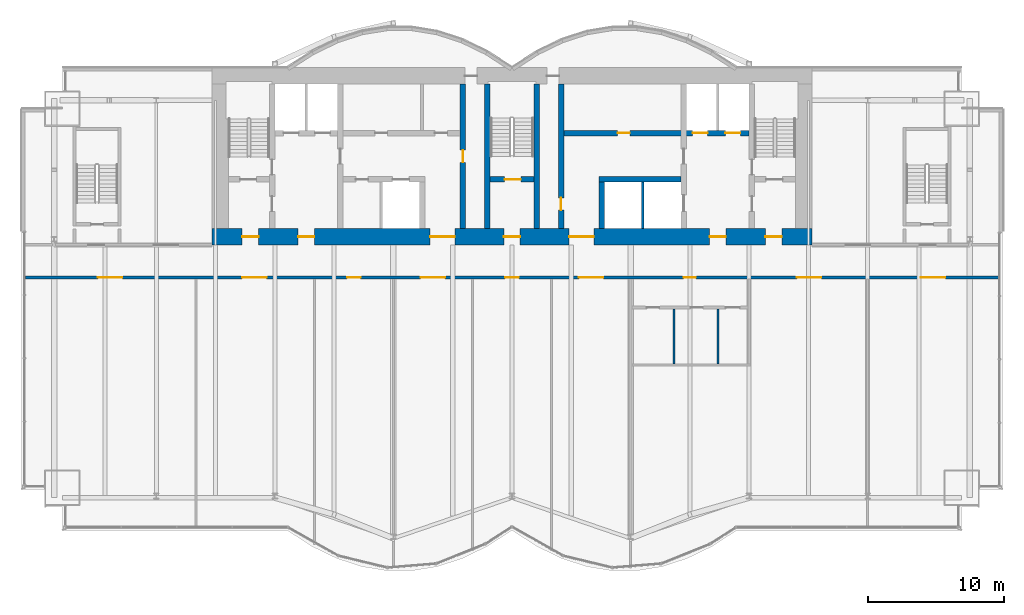
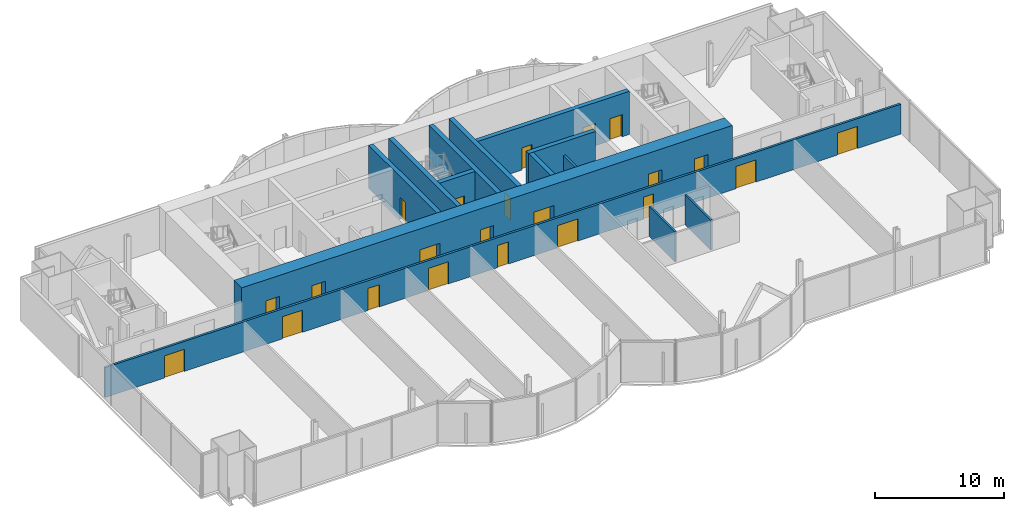
# One storey, part 15 of 20: 22 doors, 13 walls, 22 openings.
"""IFC4 building model written with IfcOpenShell, lengths in metres."""

from ifc_helpers import new_model, si_unit, direction, frame, frame_2d, origin, place, context, subcontext, project, spatial, rectangle, extrude, material, layer, layer_set, type_object, element, fill, save


model = new_model("IFC4")

# Units and contexts
model_context = context("Model", 3, precision=1e-05, world=origin(), true_north=direction((0.0, 1.0)))
body_context = subcontext(model_context, "Body", "Model", "MODEL_VIEW")
ifc_project = project(units=[si_unit("LENGTHUNIT", "METRE"), si_unit("AREAUNIT", "SQUARE_METRE"), si_unit("VOLUMEUNIT", "CUBIC_METRE"), si_unit("PLANEANGLEUNIT", "RADIAN"), si_unit("MASSUNIT", "GRAM", prefix="KILO")], contexts=[model_context])

# Site, building, storey
site_placement = place(None, origin())
site = spatial("IfcSite", under=ifc_project, at=site_placement, CompositionType="ELEMENT")
building_placement = place(site_placement, origin())
building = spatial("IfcBuilding", under=site, at=building_placement, Name="Bicima Exchange Tower", CompositionType="ELEMENT")
storey_placement = place(building_placement, frame((0.0, 0.0, 177.300048828125)))
storey = spatial("IfcBuildingStorey", under=building, at=storey_placement, Name="L39", CompositionType="ELEMENT", Elevation=177.300048828125)

# Wall
ifc_material_1 = material(Name="Gypsum board partition")
ifc_layer_1 = layer(ifc_material_1, 0.199951171875)
ifc_layer_set_1 = layer_set([ifc_layer_1], Name="Gypsum board partition")
wall_type_1 = type_object("IfcWallType", Name="Fire-rated gypsum partition 200 EI120", PredefinedType="PARTITIONING", material=ifc_layer_set_1)
wall_1_placement = place(storey_placement, frame((9.60009765625, -11.800048828125, 0.0), z_axis=(0.0, 0.0, 1.0), x_axis=(0.0, 1.0, 0.0)))
element("IfcWall", 1, at=wall_1_placement, inside=storey, type_object=wall_type_1, Name="partition wall 19", PredefinedType="PARTITIONING", context=body_context, shape_type="SweptSolid", body=[
    extrude(rectangle(XDim=3.400146484375, YDim=0.199951171875, at=frame_2d((1.7001953125, 0.0))), origin(), (0.0, 0.0, 1.0), 2.84033203125),
])

# Wall, openings, doors
ifc_layer_2 = layer(ifc_material_1, 0.199951171875)
ifc_layer_set_2 = layer_set([ifc_layer_2], Name="Gypsum board partition")
wall_type_2 = type_object("IfcWallType", Name="Fire-rated gypsum partition 200 EI60", PredefinedType="PARTITIONING", material=ifc_layer_set_2)
wall_2_placement = place(storey_placement, frame((-35.679931640625, -15.39990234375, 0.0), z_axis=(0.0, 0.0, 1.0), x_axis=(1.0, 0.0, 0.0)))
wall_2 = element("IfcWall", 2, at=wall_2_placement, inside=storey, type_object=wall_type_2, Name="partition wall 3", PredefinedType="PARTITIONING", context=body_context, shape_type="SweptSolid", body=[
    extrude(rectangle(XDim=71.35986328125, YDim=0.199951171875, at=frame_2d((35.679931640625, 0.0))), origin(), (0.0, 0.0, 1.0), 2.84033203125),
])
opening_1_placement = place(wall_2_placement, frame((5.300048828125, 0.0, 0.0)))
opening_1 = element("IfcOpeningElement", 3, at=opening_1_placement, cuts=wall_2, Name="Opening L39-007", PredefinedType="OPENING", context=body_context, shape_type="SweptSolid", body=[
    extrude(rectangle(XDim=1.800048828125, YDim=2.10009765625, at=frame_2d((0.89990234375, 1.050048828125))), frame((0.0, 0.11181640625, 0.0), z_axis=(0.0, -1.0, 0.0), x_axis=(1.0, 0.0, 0.0)), (0.0, 0.0, 1.0), 0.223876953125),
])
opening_2_placement = place(wall_2_placement, frame((15.8798828125, 0.0, 0.0)))
opening_2 = element("IfcOpeningElement", 4, at=opening_2_placement, cuts=wall_2, Name="Opening L39-008", PredefinedType="OPENING", context=body_context, shape_type="SweptSolid", body=[
    extrude(rectangle(XDim=1.800048828125, YDim=2.10009765625, at=frame_2d((0.89990234375, 1.050048828125))), frame((0.0, 0.11181640625, 0.0), z_axis=(0.0, -1.0, 0.0), x_axis=(1.0, 0.0, 0.0)), (0.0, 0.0, 1.0), 0.223876953125),
])
opening_3_placement = place(wall_2_placement, frame((23.580078125, 0.0, 0.0)))
opening_3 = element("IfcOpeningElement", 5, at=opening_3_placement, cuts=wall_2, Name="Opening L39-009", PredefinedType="OPENING", context=body_context, shape_type="SweptSolid", body=[
    extrude(rectangle(XDim=1.0, YDim=2.10009765625, at=frame_2d((0.5, 1.050048828125))), frame((0.0, 0.11181640625, 0.0), z_axis=(0.0, -1.0, 0.0), x_axis=(1.0, 0.0, 0.0)), (0.0, 0.0, 1.0), 0.223876953125),
])
opening_4_placement = place(wall_2_placement, frame((28.97998046875, 0.0, 0.0)))
opening_4 = element("IfcOpeningElement", 6, at=opening_4_placement, cuts=wall_2, Name="Opening L39-010", PredefinedType="OPENING", context=body_context, shape_type="SweptSolid", body=[
    extrude(rectangle(XDim=1.800048828125, YDim=2.10009765625, at=frame_2d((0.89990234375, 1.050048828125))), frame((0.0, 0.11181640625, 0.0), z_axis=(0.0, -1.0, 0.0), x_axis=(1.0, 0.0, 0.0)), (0.0, 0.0, 1.0), 0.223876953125),
])
opening_5_placement = place(wall_2_placement, frame((35.179931640625, 0.0, 0.0)))
opening_5 = element("IfcOpeningElement", 7, at=opening_5_placement, cuts=wall_2, Name="Opening L39-011", PredefinedType="OPENING", context=body_context, shape_type="SweptSolid", body=[
    extrude(rectangle(XDim=1.0, YDim=2.10009765625, at=frame_2d((0.5, 1.050048828125))), frame((0.0, 0.11181640625, 0.0), z_axis=(0.0, -1.0, 0.0), x_axis=(1.0, 0.0, 0.0)), (0.0, 0.0, 1.0), 0.223876953125),
])
opening_6_placement = place(wall_2_placement, frame((40.580078125, 0.0, 0.0)))
opening_6 = element("IfcOpeningElement", 8, at=opening_6_placement, cuts=wall_2, Name="Opening L39-012", PredefinedType="OPENING", context=body_context, shape_type="SweptSolid", body=[
    extrude(rectangle(XDim=1.800048828125, YDim=2.10009765625, at=frame_2d((0.89990234375, 1.050048828125))), frame((0.0, 0.11181640625, 0.0), z_axis=(0.0, -1.0, 0.0), x_axis=(1.0, 0.0, 0.0)), (0.0, 0.0, 1.0), 0.223876953125),
])
opening_7_placement = place(wall_2_placement, frame((48.280029296875, 0.0, 0.0)))
opening_7 = element("IfcOpeningElement", 9, at=opening_7_placement, cuts=wall_2, Name="Opening L39-013", PredefinedType="OPENING", context=body_context, shape_type="SweptSolid", body=[
    extrude(rectangle(XDim=0.89990234375, YDim=2.10009765625, at=frame_2d((0.449951171875, 1.050048828125))), frame((0.0, 0.11181640625, 0.0), z_axis=(0.0, -1.0, 0.0), x_axis=(1.0, 0.0, 0.0)), (0.0, 0.0, 1.0), 0.223876953125),
])
opening_8_placement = place(wall_2_placement, frame((56.580078125, 0.0, 0.0)))
opening_8 = element("IfcOpeningElement", 10, at=opening_8_placement, cuts=wall_2, Name="Opening L39-017", PredefinedType="OPENING", context=body_context, shape_type="SweptSolid", body=[
    extrude(rectangle(XDim=1.800048828125, YDim=2.10009765625, at=frame_2d((0.89990234375, 1.050048828125))), frame((0.0, 0.11181640625, 0.0), z_axis=(0.0, -1.0, 0.0), x_axis=(1.0, 0.0, 0.0)), (0.0, 0.0, 1.0), 0.223876953125),
])
opening_9_placement = place(wall_2_placement, frame((65.679931640625, 0.0, 0.0)))
opening_9 = element("IfcOpeningElement", 11, at=opening_9_placement, cuts=wall_2, Name="Opening L39-018", PredefinedType="OPENING", context=body_context, shape_type="SweptSolid", body=[
    extrude(rectangle(XDim=1.800048828125, YDim=2.10009765625, at=frame_2d((0.89990234375, 1.050048828125))), frame((0.0, 0.11181640625, 0.0), z_axis=(0.0, -1.0, 0.0), x_axis=(1.0, 0.0, 0.0)), (0.0, 0.0, 1.0), 0.223876953125),
])
ifc_material_2 = material(Name="Steel fire door leaf", Category="steel")
door_type_1 = type_object("IfcDoorType", Name="Door 1000 swing FD30S", OperationType="SINGLE_SWING_LEFT", PredefinedType="DOOR", material=ifc_material_2)
door_1_placement = place(opening_3_placement, frame((1.0, 0.0, 0.0), z_axis=(0.0, 0.0, 1.0), x_axis=(-1.0, 0.0, 0.0)))
door_1 = element("IfcDoor", 12, at=door_1_placement, inside=storey, type_object=door_type_1, Name="Door", OperationType="SINGLE_SWING_RIGHT", OverallHeight=2.10009765625, OverallWidth=1.0, PredefinedType="DOOR", context=body_context, shape_type="SweptSolid", body=[
    extrude(rectangle(XDim=1.0, YDim=2.10009765625, at=frame_2d((0.5, 1.050048828125))), frame((0.0, 0.02490234375, 0.0), z_axis=(0.0, -1.0, 0.0), x_axis=(1.0, 0.0, 0.0)), (0.0, 0.0, 1.0), 0.050048828125),
])
fill(opening_3, door_1)
door_2_placement = place(opening_5_placement, frame((1.0, 0.0, 0.0), z_axis=(0.0, 0.0, 1.0), x_axis=(-1.0, 0.0, 0.0)))
door_2 = element("IfcDoor", 13, at=door_2_placement, inside=storey, type_object=door_type_1, Name="Door", OperationType="SINGLE_SWING_RIGHT", OverallHeight=2.10009765625, OverallWidth=1.0, PredefinedType="DOOR", context=body_context, shape_type="SweptSolid", body=[
    extrude(rectangle(XDim=1.0, YDim=2.10009765625, at=frame_2d((0.5, 1.050048828125))), frame((0.0, 0.02490234375, 0.0), z_axis=(0.0, -1.0, 0.0), x_axis=(1.0, 0.0, 0.0)), (0.0, 0.0, 1.0), 0.050048828125),
])
fill(opening_5, door_2)
door_type_2 = type_object("IfcDoorType", Name="Door 1800 double swing FD30S", OperationType="DOUBLE_DOOR_SINGLE_SWING", PredefinedType="DOOR", material=ifc_material_2)
door_3_placement = place(opening_1_placement, origin())
door_3 = element("IfcDoor", 14, at=door_3_placement, inside=storey, type_object=door_type_2, Name="Door", OperationType="SINGLE_SWING_LEFT", OverallHeight=2.10009765625, OverallWidth=1.800048828125, PredefinedType="DOOR", context=body_context, shape_type="SweptSolid", body=[
    extrude(rectangle(XDim=1.800048828125, YDim=2.10009765625, at=frame_2d((0.89990234375, 1.050048828125))), frame((0.0, 0.02490234375, 0.0), z_axis=(0.0, -1.0, 0.0), x_axis=(1.0, 0.0, 0.0)), (0.0, 0.0, 1.0), 0.050048828125),
])
fill(opening_1, door_3)
door_4_placement = place(opening_2_placement, origin())
door_4 = element("IfcDoor", 15, at=door_4_placement, inside=storey, type_object=door_type_2, Name="Door", OperationType="SINGLE_SWING_LEFT", OverallHeight=2.10009765625, OverallWidth=1.800048828125, PredefinedType="DOOR", context=body_context, shape_type="SweptSolid", body=[
    extrude(rectangle(XDim=1.800048828125, YDim=2.10009765625, at=frame_2d((0.89990234375, 1.050048828125))), frame((0.0, 0.02490234375, 0.0), z_axis=(0.0, -1.0, 0.0), x_axis=(1.0, 0.0, 0.0)), (0.0, 0.0, 1.0), 0.050048828125),
])
fill(opening_2, door_4)
door_5_placement = place(opening_4_placement, origin())
door_5 = element("IfcDoor", 16, at=door_5_placement, inside=storey, type_object=door_type_2, Name="Door", OperationType="SINGLE_SWING_LEFT", OverallHeight=2.10009765625, OverallWidth=1.800048828125, PredefinedType="DOOR", context=body_context, shape_type="SweptSolid", body=[
    extrude(rectangle(XDim=1.800048828125, YDim=2.10009765625, at=frame_2d((0.89990234375, 1.050048828125))), frame((0.0, 0.02490234375, 0.0), z_axis=(0.0, -1.0, 0.0), x_axis=(1.0, 0.0, 0.0)), (0.0, 0.0, 1.0), 0.050048828125),
])
fill(opening_4, door_5)
door_6_placement = place(opening_6_placement, origin())
door_6 = element("IfcDoor", 17, at=door_6_placement, inside=storey, type_object=door_type_2, Name="Door", OperationType="SINGLE_SWING_LEFT", OverallHeight=2.10009765625, OverallWidth=1.800048828125, PredefinedType="DOOR", context=body_context, shape_type="SweptSolid", body=[
    extrude(rectangle(XDim=1.800048828125, YDim=2.10009765625, at=frame_2d((0.89990234375, 1.050048828125))), frame((0.0, 0.02490234375, 0.0), z_axis=(0.0, -1.0, 0.0), x_axis=(1.0, 0.0, 0.0)), (0.0, 0.0, 1.0), 0.050048828125),
])
fill(opening_6, door_6)
door_7_placement = place(opening_8_placement, origin())
door_7 = element("IfcDoor", 18, at=door_7_placement, inside=storey, type_object=door_type_2, Name="Door", OperationType="SINGLE_SWING_LEFT", OverallHeight=2.10009765625, OverallWidth=1.800048828125, PredefinedType="DOOR", context=body_context, shape_type="SweptSolid", body=[
    extrude(rectangle(XDim=1.800048828125, YDim=2.10009765625, at=frame_2d((0.89990234375, 1.050048828125))), frame((0.0, 0.02490234375, 0.0), z_axis=(0.0, -1.0, 0.0), x_axis=(1.0, 0.0, 0.0)), (0.0, 0.0, 1.0), 0.050048828125),
])
fill(opening_8, door_7)
door_8_placement = place(opening_9_placement, origin())
door_8 = element("IfcDoor", 19, at=door_8_placement, inside=storey, type_object=door_type_2, Name="Door", OperationType="SINGLE_SWING_LEFT", OverallHeight=2.10009765625, OverallWidth=1.800048828125, PredefinedType="DOOR", context=body_context, shape_type="SweptSolid", body=[
    extrude(rectangle(XDim=1.800048828125, YDim=2.10009765625, at=frame_2d((0.89990234375, 1.050048828125))), frame((0.0, 0.02490234375, 0.0), z_axis=(0.0, -1.0, 0.0), x_axis=(1.0, 0.0, 0.0)), (0.0, 0.0, 1.0), 0.050048828125),
])
fill(opening_9, door_8)
door_type_3 = type_object("IfcDoorType", Name="Door 900 swing FD30S", OperationType="SINGLE_SWING_LEFT", PredefinedType="DOOR", material=ifc_material_2)
door_9_placement = place(opening_7_placement, frame((0.89990234375, 0.0, 0.0), z_axis=(0.0, 0.0, 1.0), x_axis=(-1.0, 0.0, 0.0)))
door_9 = element("IfcDoor", 20, at=door_9_placement, inside=storey, type_object=door_type_3, Name="Door", OperationType="SINGLE_SWING_LEFT", OverallHeight=2.10009765625, OverallWidth=0.89990234375, PredefinedType="DOOR", context=body_context, shape_type="SweptSolid", body=[
    extrude(rectangle(XDim=0.89990234375, YDim=2.10009765625, at=frame_2d((0.449951171875, 1.050048828125))), frame((0.0, 0.02490234375, 0.0), z_axis=(0.0, -1.0, 0.0), x_axis=(1.0, 0.0, 0.0)), (0.0, 0.0, 1.0), 0.050048828125),
])
fill(opening_7, door_9)

# Walls
ifc_layer_3 = layer(ifc_material_1, 0.14990234375)
ifc_layer_set_3 = layer_set([ifc_layer_3], Name="Gypsum board partition")
wall_type_3 = type_object("IfcWallType", Name="Gypsum partition 150", PredefinedType="PARTITIONING", material=ifc_layer_set_3)
for number, where, z_axis, x_axis, name in (
    (21, (11.89990234375, -21.72509765625, 0.0), (0.0, 0.0, 1.0), (0.0, 1.0, 0.0), "partition wall 23"),
    (22, (15.10009765625, -21.72509765625, 0.0), (0.0, 0.0, 1.0), (0.0, 1.0, 0.0), "partition wall 24"),
):
    element("IfcWall", number, at=place(storey_placement, frame(where, z_axis=z_axis, x_axis=x_axis)), inside=storey, type_object=wall_type_3, Name=name, PredefinedType="PARTITIONING", context=body_context, shape_type="SweptSolid", body=[
        extrude(rectangle(XDim=4.025146484375, YDim=0.14990234375, at=frame_2d((2.0126953125, 0.0))), origin(), (0.0, 0.0, 1.0), 2.84033203125),
    ])

# Wall, openings, doors
ifc_material_3 = material(Name="Concrete C50/60", Category="concrete")
ifc_layer_4 = layer(ifc_material_3, 1.199951171875)
ifc_layer_set_4 = layer_set([ifc_layer_4], Name="Concrete C50/60")
wall_type_4 = type_object("IfcWallType", Name="RC core wall 1200 C50/60", PredefinedType="SHEAR", material=ifc_layer_set_4)
wall_3_placement = place(storey_placement, frame((-22.0, -12.39990234375, 0.0), z_axis=(0.0, 0.0, 1.0), x_axis=(1.0, 0.0, 0.0)))
wall_3 = element("IfcWall", 23, at=wall_3_placement, inside=storey, type_object=wall_type_4, Name="Core wall south", PredefinedType="SHEAR", context=body_context, shape_type="SweptSolid", body=[
    extrude(rectangle(XDim=44.0, YDim=1.199951171875, at=frame_2d((22.0, 0.0))), origin(), (0.0, 0.0, 1.0), 4.099853515625),
])
opening_10_placement = place(wall_3_placement, frame((2.199951171875, 0.0, 0.0)))
opening_10 = element("IfcOpeningElement", 24, at=opening_10_placement, cuts=wall_3, Name="Opening L39-C18", PredefinedType="OPENING", context=body_context, shape_type="SweptSolid", body=[
    extrude(rectangle(XDim=1.199951171875, YDim=2.10009765625, at=frame_2d((0.60009765625, 1.050048828125))), frame((0.0, 0.61181640625, 0.0), z_axis=(0.0, -1.0, 0.0), x_axis=(1.0, 0.0, 0.0)), (0.0, 0.0, 1.0), 1.223876953125),
])
opening_11_placement = place(wall_3_placement, frame((21.39990234375, 0.0, 0.0)))
opening_11 = element("IfcOpeningElement", 25, at=opening_11_placement, cuts=wall_3, Name="Opening L39-C19", PredefinedType="OPENING", context=body_context, shape_type="SweptSolid", body=[
    extrude(rectangle(XDim=1.199951171875, YDim=2.10009765625, at=frame_2d((0.60009765625, 1.050048828125))), frame((0.0, 0.61181640625, 0.0), z_axis=(0.0, -1.0, 0.0), x_axis=(1.0, 0.0, 0.0)), (0.0, 0.0, 1.0), 1.223876953125),
])
opening_12_placement = place(wall_3_placement, frame((40.60009765625, 0.0, 0.0)))
opening_12 = element("IfcOpeningElement", 26, at=opening_12_placement, cuts=wall_3, Name="Opening L39-C20", PredefinedType="OPENING", context=body_context, shape_type="SweptSolid", body=[
    extrude(rectangle(XDim=1.199951171875, YDim=2.10009765625, at=frame_2d((0.60009765625, 1.050048828125))), frame((0.0, 0.61181640625, 0.0), z_axis=(0.0, -1.0, 0.0), x_axis=(1.0, 0.0, 0.0)), (0.0, 0.0, 1.0), 1.223876953125),
])
opening_13_placement = place(wall_3_placement, frame((16.0, 0.0, 0.0)))
opening_13 = element("IfcOpeningElement", 27, at=opening_13_placement, cuts=wall_3, Name="Opening L39-C21", PredefinedType="OPENING", context=body_context, shape_type="SweptSolid", body=[
    extrude(rectangle(XDim=1.800048828125, YDim=2.10009765625, at=frame_2d((0.89990234375, 1.050048828125))), frame((0.0, 0.61181640625, 0.0), z_axis=(0.0, -1.0, 0.0), x_axis=(1.0, 0.0, 0.0)), (0.0, 0.0, 1.0), 1.223876953125),
])
opening_14_placement = place(wall_3_placement, frame((6.300048828125, 0.0, 0.0)))
opening_14 = element("IfcOpeningElement", 28, at=opening_14_placement, cuts=wall_3, Name="Opening L39-C22", PredefinedType="OPENING", context=body_context, shape_type="SweptSolid", body=[
    extrude(rectangle(XDim=1.199951171875, YDim=2.10009765625, at=frame_2d((0.60009765625, 1.050048828125))), frame((0.0, 0.61181640625, 0.0), z_axis=(0.0, -1.0, 0.0), x_axis=(1.0, 0.0, 0.0)), (0.0, 0.0, 1.0), 1.223876953125),
])
opening_15_placement = place(wall_3_placement, frame((26.199951171875, 0.0, 0.0)))
opening_15 = element("IfcOpeningElement", 29, at=opening_15_placement, cuts=wall_3, Name="Opening L39-C23", PredefinedType="OPENING", context=body_context, shape_type="SweptSolid", body=[
    extrude(rectangle(XDim=1.800048828125, YDim=2.10009765625, at=frame_2d((0.89990234375, 1.050048828125))), frame((0.0, 0.61181640625, 0.0), z_axis=(0.0, -1.0, 0.0), x_axis=(1.0, 0.0, 0.0)), (0.0, 0.0, 1.0), 1.223876953125),
])
opening_16_placement = place(wall_3_placement, frame((36.5, 0.0, 0.0)))
opening_16 = element("IfcOpeningElement", 30, at=opening_16_placement, cuts=wall_3, Name="Opening L39-C24", PredefinedType="OPENING", context=body_context, shape_type="SweptSolid", body=[
    extrude(rectangle(XDim=1.199951171875, YDim=2.10009765625, at=frame_2d((0.60009765625, 1.050048828125))), frame((0.0, 0.61181640625, 0.0), z_axis=(0.0, -1.0, 0.0), x_axis=(1.0, 0.0, 0.0)), (0.0, 0.0, 1.0), 1.223876953125),
])
door_type_4 = type_object("IfcDoorType", Name="Door 1200 swing FD60S", OperationType="SINGLE_SWING_LEFT", PredefinedType="DOOR", material=ifc_material_2)
door_10_placement = place(opening_10_placement, frame((1.199951171875, 0.0, 0.0), z_axis=(0.0, 0.0, 1.0), x_axis=(-1.0, 0.0, 0.0)))
door_10 = element("IfcDoor", 31, at=door_10_placement, inside=storey, type_object=door_type_4, Name="Core door", OperationType="SINGLE_SWING_RIGHT", OverallHeight=2.10009765625, OverallWidth=1.199951171875, PredefinedType="DOOR", context=body_context, shape_type="SweptSolid", body=[
    extrude(rectangle(XDim=1.199951171875, YDim=2.10009765625, at=frame_2d((0.60009765625, 1.050048828125))), frame((0.0, 0.02490234375, 0.0), z_axis=(0.0, -1.0, 0.0), x_axis=(1.0, 0.0, 0.0)), (0.0, 0.0, 1.0), 0.050048828125),
])
fill(opening_10, door_10)
door_11_placement = place(opening_11_placement, frame((1.199951171875, 0.0, 0.0), z_axis=(0.0, 0.0, 1.0), x_axis=(-1.0, 0.0, 0.0)))
door_11 = element("IfcDoor", 32, at=door_11_placement, inside=storey, type_object=door_type_4, Name="Core door", OperationType="SINGLE_SWING_RIGHT", OverallHeight=2.10009765625, OverallWidth=1.199951171875, PredefinedType="DOOR", context=body_context, shape_type="SweptSolid", body=[
    extrude(rectangle(XDim=1.199951171875, YDim=2.10009765625, at=frame_2d((0.60009765625, 1.050048828125))), frame((0.0, 0.02490234375, 0.0), z_axis=(0.0, -1.0, 0.0), x_axis=(1.0, 0.0, 0.0)), (0.0, 0.0, 1.0), 0.050048828125),
])
fill(opening_11, door_11)
door_12_placement = place(opening_12_placement, frame((1.199951171875, 0.0, 0.0), z_axis=(0.0, 0.0, 1.0), x_axis=(-1.0, 0.0, 0.0)))
door_12 = element("IfcDoor", 33, at=door_12_placement, inside=storey, type_object=door_type_4, Name="Core door", OperationType="SINGLE_SWING_RIGHT", OverallHeight=2.10009765625, OverallWidth=1.199951171875, PredefinedType="DOOR", context=body_context, shape_type="SweptSolid", body=[
    extrude(rectangle(XDim=1.199951171875, YDim=2.10009765625, at=frame_2d((0.60009765625, 1.050048828125))), frame((0.0, 0.02490234375, 0.0), z_axis=(0.0, -1.0, 0.0), x_axis=(1.0, 0.0, 0.0)), (0.0, 0.0, 1.0), 0.050048828125),
])
fill(opening_12, door_12)
door_13_placement = place(opening_14_placement, frame((1.199951171875, 0.0, 0.0), z_axis=(0.0, 0.0, 1.0), x_axis=(-1.0, 0.0, 0.0)))
door_13 = element("IfcDoor", 34, at=door_13_placement, inside=storey, type_object=door_type_4, Name="Core door", OperationType="SINGLE_SWING_RIGHT", OverallHeight=2.10009765625, OverallWidth=1.199951171875, PredefinedType="DOOR", context=body_context, shape_type="SweptSolid", body=[
    extrude(rectangle(XDim=1.199951171875, YDim=2.10009765625, at=frame_2d((0.60009765625, 1.050048828125))), frame((0.0, 0.02490234375, 0.0), z_axis=(0.0, -1.0, 0.0), x_axis=(1.0, 0.0, 0.0)), (0.0, 0.0, 1.0), 0.050048828125),
])
fill(opening_14, door_13)
door_14_placement = place(opening_16_placement, frame((1.199951171875, 0.0, 0.0), z_axis=(0.0, 0.0, 1.0), x_axis=(-1.0, 0.0, 0.0)))
door_14 = element("IfcDoor", 35, at=door_14_placement, inside=storey, type_object=door_type_4, Name="Core door", OperationType="SINGLE_SWING_RIGHT", OverallHeight=2.10009765625, OverallWidth=1.199951171875, PredefinedType="DOOR", context=body_context, shape_type="SweptSolid", body=[
    extrude(rectangle(XDim=1.199951171875, YDim=2.10009765625, at=frame_2d((0.60009765625, 1.050048828125))), frame((0.0, 0.02490234375, 0.0), z_axis=(0.0, -1.0, 0.0), x_axis=(1.0, 0.0, 0.0)), (0.0, 0.0, 1.0), 0.050048828125),
])
fill(opening_16, door_14)
door_15_placement = place(opening_13_placement, origin())
door_15 = element("IfcDoor", 36, at=door_15_placement, inside=storey, type_object=door_type_2, Name="Core door", OperationType="SINGLE_SWING_LEFT", OverallHeight=2.10009765625, OverallWidth=1.800048828125, PredefinedType="DOOR", context=body_context, shape_type="SweptSolid", body=[
    extrude(rectangle(XDim=1.800048828125, YDim=2.10009765625, at=frame_2d((0.89990234375, 1.050048828125))), frame((0.0, 0.02490234375, 0.0), z_axis=(0.0, -1.0, 0.0), x_axis=(1.0, 0.0, 0.0)), (0.0, 0.0, 1.0), 0.050048828125),
])
fill(opening_13, door_15)
door_16_placement = place(opening_15_placement, origin())
door_16 = element("IfcDoor", 37, at=door_16_placement, inside=storey, type_object=door_type_2, Name="Core door", OperationType="SINGLE_SWING_LEFT", OverallHeight=2.10009765625, OverallWidth=1.800048828125, PredefinedType="DOOR", context=body_context, shape_type="SweptSolid", body=[
    extrude(rectangle(XDim=1.800048828125, YDim=2.10009765625, at=frame_2d((0.89990234375, 1.050048828125))), frame((0.0, 0.02490234375, 0.0), z_axis=(0.0, -1.0, 0.0), x_axis=(1.0, 0.0, 0.0)), (0.0, 0.0, 1.0), 0.050048828125),
])
fill(opening_15, door_16)

# Wall, opening, door
ifc_layer_5 = layer(ifc_material_3, 0.39990234375)
ifc_layer_set_5 = layer_set([ifc_layer_5], Name="Concrete C50/60")
wall_type_5 = type_object("IfcWallType", Name="RC core wall 400 C50/60", PredefinedType="SHEAR", material=ifc_layer_set_5)
wall_4_placement = place(storey_placement, frame((-1.60009765625, -8.199951171875, 0.0), z_axis=(0.0, 0.0, 1.0), x_axis=(1.0, 0.0, 0.0)))
wall_4 = element("IfcWall", 38, at=wall_4_placement, inside=storey, type_object=wall_type_5, Name="stair wall 3", PredefinedType="SHEAR", context=body_context, shape_type="SweptSolid", body=[
    extrude(rectangle(XDim=3.2001953125, YDim=0.39990234375, at=frame_2d((1.60009765625, 0.0))), origin(), (0.0, 0.0, 1.0), 4.099853515625),
])
opening_17_placement = place(wall_4_placement, frame((1.050048828125, 0.0, 0.0)))
opening_17 = element("IfcOpeningElement", 39, at=opening_17_placement, cuts=wall_4, Name="Opening L39-C03", PredefinedType="OPENING", context=body_context, shape_type="SweptSolid", body=[
    extrude(rectangle(XDim=1.199951171875, YDim=2.10009765625, at=frame_2d((0.60009765625, 1.050048828125))), frame((0.0, 0.2119140625, 0.0), z_axis=(0.0, -1.0, 0.0), x_axis=(1.0, 0.0, 0.0)), (0.0, 0.0, 1.0), 0.423828125),
])
door_17_placement = place(opening_17_placement, origin())
door_17 = element("IfcDoor", 40, at=door_17_placement, inside=storey, type_object=door_type_4, Name="Core door", OperationType="SINGLE_SWING_LEFT", OverallHeight=2.10009765625, OverallWidth=1.199951171875, PredefinedType="DOOR", context=body_context, shape_type="SweptSolid", body=[
    extrude(rectangle(XDim=1.199951171875, YDim=2.10009765625, at=frame_2d((0.60009765625, 1.050048828125))), frame((0.0, 0.02490234375, 0.0), z_axis=(0.0, -1.0, 0.0), x_axis=(1.0, 0.0, 0.0)), (0.0, 0.0, 1.0), 0.050048828125),
])
fill(opening_17, door_17)

# Wall
wall_5_placement = place(storey_placement, frame((6.39990234375, -8.199951171875, 0.0), z_axis=(0.0, 0.0, 1.0), x_axis=(1.0, 0.0, 0.0)))
element("IfcWall", 41, at=wall_5_placement, inside=storey, type_object=wall_type_5, Name="shear wall 4", PredefinedType="SHEAR", context=body_context, shape_type="SweptSolid", body=[
    extrude(rectangle(XDim=6.0, YDim=0.39990234375, at=frame_2d((3.0, 0.0))), origin(), (0.0, 0.0, 1.0), 4.099853515625),
])

# Wall, openings, doors
wall_6_placement = place(storey_placement, frame((3.800048828125, -4.800048828125, 0.0), z_axis=(0.0, 0.0, 1.0), x_axis=(1.0, 0.0, 0.0)))
wall_6 = element("IfcWall", 42, at=wall_6_placement, inside=storey, type_object=wall_type_5, Name="shear wall 7", PredefinedType="SHEAR", context=body_context, shape_type="SweptSolid", body=[
    extrude(rectangle(XDim=13.599853515625, YDim=0.39990234375, at=frame_2d((6.7998046875, 0.0))), origin(), (0.0, 0.0, 1.0), 4.099853515625),
])
opening_18_placement = place(wall_6_placement, frame((9.449951171875, 0.0, 0.0)))
opening_18 = element("IfcOpeningElement", 43, at=opening_18_placement, cuts=wall_6, Name="Opening LD-FF2-L39", PredefinedType="OPENING", context=body_context, shape_type="SweptSolid", body=[
    extrude(rectangle(XDim=1.10009765625, YDim=2.10009765625, at=frame_2d((0.550048828125, 1.050048828125))), frame((0.0, 0.2119140625, 0.0), z_axis=(0.0, -1.0, 0.0), x_axis=(1.0, 0.0, 0.0)), (0.0, 0.0, 1.0), 0.423828125),
])
opening_19_placement = place(wall_6_placement, frame((11.85009765625, 0.0, 0.0)))
opening_19 = element("IfcOpeningElement", 44, at=opening_19_placement, cuts=wall_6, Name="Opening LD-SV1-L39", PredefinedType="OPENING", context=body_context, shape_type="SweptSolid", body=[
    extrude(rectangle(XDim=1.10009765625, YDim=2.10009765625, at=frame_2d((0.550048828125, 1.050048828125))), frame((0.0, 0.2119140625, 0.0), z_axis=(0.0, -1.0, 0.0), x_axis=(1.0, 0.0, 0.0)), (0.0, 0.0, 1.0), 0.423828125),
])
opening_20_placement = place(wall_6_placement, frame((3.949951171875, 0.0, 0.0)))
opening_20 = element("IfcOpeningElement", 45, at=opening_20_placement, cuts=wall_6, Name="Opening L39-C14", PredefinedType="OPENING", context=body_context, shape_type="SweptSolid", body=[
    extrude(rectangle(XDim=0.89990234375, YDim=2.10009765625, at=frame_2d((0.449951171875, 1.050048828125))), frame((0.0, 0.2119140625, 0.0), z_axis=(0.0, -1.0, 0.0), x_axis=(1.0, 0.0, 0.0)), (0.0, 0.0, 1.0), 0.423828125),
])
door_18_placement = place(opening_20_placement, origin())
door_18 = element("IfcDoor", 46, at=door_18_placement, inside=storey, type_object=door_type_3, Name="Core door", OperationType="SINGLE_SWING_RIGHT", OverallHeight=2.10009765625, OverallWidth=0.89990234375, PredefinedType="DOOR", context=body_context, shape_type="SweptSolid", body=[
    extrude(rectangle(XDim=0.89990234375, YDim=2.10009765625, at=frame_2d((0.449951171875, 1.050048828125))), frame((0.0, 0.02490234375, 0.0), z_axis=(0.0, -1.0, 0.0), x_axis=(1.0, 0.0, 0.0)), (0.0, 0.0, 1.0), 0.050048828125),
])
fill(opening_20, door_18)
ifc_material_4 = material(Name="Stainless steel", Category="steel")
door_type_5 = type_object("IfcDoorType", Name="Lift landing door 1100 sliding", OperationType="DOUBLE_DOOR_SLIDING", PredefinedType="DOOR", material=ifc_material_4)
door_19_placement = place(opening_18_placement, origin())
door_19 = element("IfcDoor", 47, at=door_19_placement, inside=storey, type_object=door_type_5, Name="Lift landing door FF2", OperationType="DOUBLE_DOOR_SLIDING", OverallHeight=2.10009765625, OverallWidth=1.10009765625, PredefinedType="DOOR", context=body_context, shape_type="SweptSolid", body=[
    extrude(rectangle(XDim=1.10009765625, YDim=2.10009765625, at=frame_2d((0.550048828125, 1.050048828125))), frame((0.0, 0.02490234375, 0.0), z_axis=(0.0, -1.0, 0.0), x_axis=(1.0, 0.0, 0.0)), (0.0, 0.0, 1.0), 0.050048828125),
])
fill(opening_18, door_19)
door_20_placement = place(opening_19_placement, origin())
door_20 = element("IfcDoor", 48, at=door_20_placement, inside=storey, type_object=door_type_5, Name="Lift landing door SV1", OperationType="DOUBLE_DOOR_SLIDING", OverallHeight=2.10009765625, OverallWidth=1.10009765625, PredefinedType="DOOR", context=body_context, shape_type="SweptSolid", body=[
    extrude(rectangle(XDim=1.10009765625, YDim=2.10009765625, at=frame_2d((0.550048828125, 1.050048828125))), frame((0.0, 0.02490234375, 0.0), z_axis=(0.0, -1.0, 0.0), x_axis=(1.0, 0.0, 0.0)), (0.0, 0.0, 1.0), 0.050048828125),
])
fill(opening_19, door_20)

# Wall, opening, door
wall_7_placement = place(storey_placement, frame((-3.60009765625, -11.800048828125, 0.0), z_axis=(0.0, 0.0, 1.0), x_axis=(0.0, 1.0, 0.0)))
wall_7 = element("IfcWall", 49, at=wall_7_placement, inside=storey, type_object=wall_type_5, Name="shear wall 14", PredefinedType="SHEAR", context=body_context, shape_type="SweptSolid", body=[
    extrude(rectangle(XDim=10.60009765625, YDim=0.39990234375, at=frame_2d((5.300048828125, 0.0))), origin(), (0.0, 0.0, 1.0), 4.099853515625),
])
opening_21_placement = place(wall_7_placement, frame((4.85009765625, 0.0, 0.0)))
opening_21 = element("IfcOpeningElement", 50, at=opening_21_placement, cuts=wall_7, Name="Opening L39-C10", PredefinedType="OPENING", context=body_context, shape_type="SweptSolid", body=[
    extrude(rectangle(XDim=0.89990234375, YDim=2.10009765625, at=frame_2d((0.449951171875, 1.050048828125))), frame((0.0, 0.2119140625, 0.0), z_axis=(0.0, -1.0, 0.0), x_axis=(1.0, 0.0, 0.0)), (0.0, 0.0, 1.0), 0.423828125),
])
door_21_placement = place(opening_21_placement, frame((0.89990234375, 0.0, 0.0), z_axis=(0.0, 0.0, 1.0), x_axis=(-1.0, 0.0, 0.0)))
door_21 = element("IfcDoor", 51, at=door_21_placement, inside=storey, type_object=door_type_3, Name="Core door", OperationType="SINGLE_SWING_LEFT", OverallHeight=2.10009765625, OverallWidth=0.89990234375, PredefinedType="DOOR", context=body_context, shape_type="SweptSolid", body=[
    extrude(rectangle(XDim=0.89990234375, YDim=2.10009765625, at=frame_2d((0.449951171875, 1.050048828125))), frame((0.0, 0.02490234375, 0.0), z_axis=(0.0, -1.0, 0.0), x_axis=(1.0, 0.0, 0.0)), (0.0, 0.0, 1.0), 0.050048828125),
])
fill(opening_21, door_21)

# Walls
for number, where, z_axis, x_axis, name in (
    (52, (-1.800048828125, -11.800048828125, 0.0), (0.0, 0.0, 1.0), (0.0, 1.0, 0.0), "stair wall 15"),
    (53, (1.800048828125, -11.800048828125, 0.0), (0.0, 0.0, 1.0), (0.0, 1.0, 0.0), "stair wall 16"),
):
    element("IfcWall", number, at=place(storey_placement, frame(where, z_axis=z_axis, x_axis=x_axis)), inside=storey, type_object=wall_type_5, Name=name, PredefinedType="SHEAR", context=body_context, shape_type="SweptSolid", body=[
        extrude(rectangle(XDim=10.60009765625, YDim=0.39990234375, at=frame_2d((5.300048828125, 0.0))), origin(), (0.0, 0.0, 1.0), 4.099853515625),
    ])

# Wall, opening, door
wall_8_placement = place(storey_placement, frame((3.60009765625, -11.800048828125, 0.0), z_axis=(0.0, 0.0, 1.0), x_axis=(0.0, 1.0, 0.0)))
wall_8 = element("IfcWall", 54, at=wall_8_placement, inside=storey, type_object=wall_type_5, Name="shear wall 17", PredefinedType="SHEAR", context=body_context, shape_type="SweptSolid", body=[
    extrude(rectangle(XDim=10.60009765625, YDim=0.39990234375, at=frame_2d((5.300048828125, 0.0))), origin(), (0.0, 0.0, 1.0), 4.099853515625),
])
opening_22_placement = place(wall_8_placement, frame((1.35009765625, 0.0, 0.0)))
opening_22 = element("IfcOpeningElement", 55, at=opening_22_placement, cuts=wall_8, Name="Opening L39-C11", PredefinedType="OPENING", context=body_context, shape_type="SweptSolid", body=[
    extrude(rectangle(XDim=0.89990234375, YDim=2.10009765625, at=frame_2d((0.449951171875, 1.050048828125))), frame((0.0, 0.2119140625, 0.0), z_axis=(0.0, -1.0, 0.0), x_axis=(1.0, 0.0, 0.0)), (0.0, 0.0, 1.0), 0.423828125),
])
door_22_placement = place(opening_22_placement, origin())
door_22 = element("IfcDoor", 56, at=door_22_placement, inside=storey, type_object=door_type_3, Name="Core door", OperationType="SINGLE_SWING_LEFT", OverallHeight=2.10009765625, OverallWidth=0.89990234375, PredefinedType="DOOR", context=body_context, shape_type="SweptSolid", body=[
    extrude(rectangle(XDim=0.89990234375, YDim=2.10009765625, at=frame_2d((0.449951171875, 1.050048828125))), frame((0.0, 0.02490234375, 0.0), z_axis=(0.0, -1.0, 0.0), x_axis=(1.0, 0.0, 0.0)), (0.0, 0.0, 1.0), 0.050048828125),
])
fill(opening_22, door_22)

# Wall
wall_9_placement = place(storey_placement, frame((6.60009765625, -11.800048828125, 0.0), z_axis=(0.0, 0.0, 1.0), x_axis=(0.0, 1.0, 0.0)))
element("IfcWall", 57, at=wall_9_placement, inside=storey, type_object=wall_type_5, Name="shear wall 18", PredefinedType="SHEAR", context=body_context, shape_type="SweptSolid", body=[
    extrude(rectangle(XDim=3.400146484375, YDim=0.39990234375, at=frame_2d((1.7001953125, 0.0))), origin(), (0.0, 0.0, 1.0), 4.099853515625),
])

save(model, "model.ifc")
